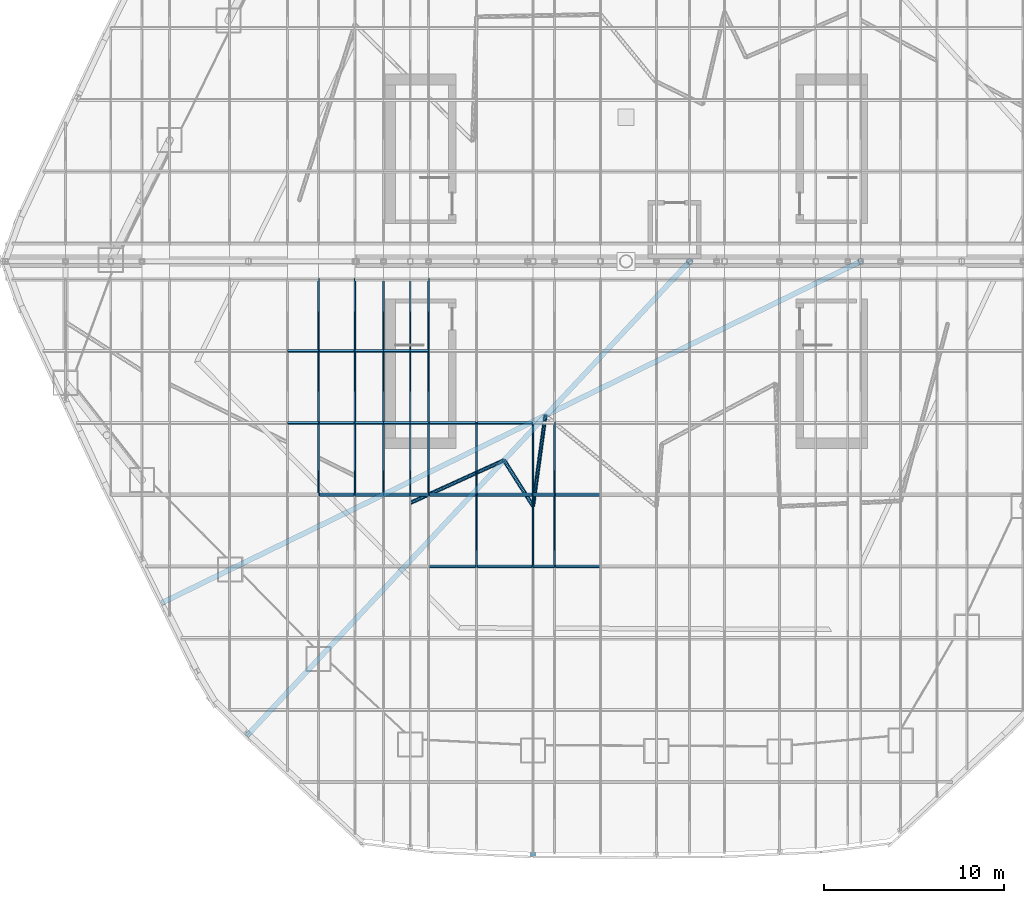
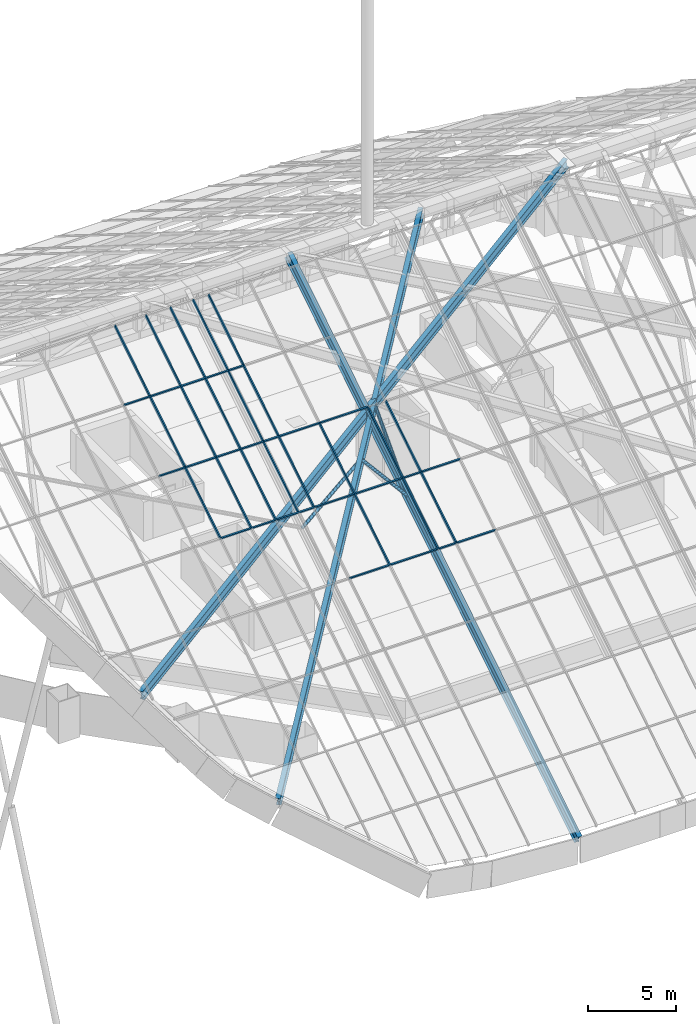
# One storey, part 4 of 38: 51 members, 25 elements without a shape of their own.
"""IFC4 building model written with IfcOpenShell, lengths in metres."""

import ifcopenshell
import ifcopenshell.guid

model = None  # the IFC model being written
_history = None  # IfcOwnerHistory: only IFC2X3 demands one
_inside = {}  # id of a spatial element -> (the spatial element, [elements in it])
_under = {}  # id of a project, library or spatial element -> (it, [spatial elements below it])
_declared = {}  # id of a project -> (the project, [libraries it declares])
_typed = {}  # id of a type object -> (the type object, [elements of that type])
_made_of = {}  # id of a material, layer set ... -> (it, [elements and type objects made of it])


def new_model(schema):
    """Start an empty IFC model of exactly this schema.

    Asked for "IFC4X3", IfcOpenShell would pick the latest addendum, in which some entities
    have other attributes; the version numbers below select the first issue.
    IFC2X3 requires an IfcOwnerHistory on every rooted entity: one is made here for all.
    """
    global model, _history
    if schema == "IFC4X3":
        model = ifcopenshell.file(schema_version=(4, 3, 0, 0))
    else:
        model = ifcopenshell.file(schema=schema)
    _inside.clear()
    _under.clear()
    _declared.clear()
    _typed.clear()
    _made_of.clear()
    _history = None
    if model.schema == "IFC2X3":
        org = make("IfcOrganization", Name="unknown")
        user = make(
            "IfcPersonAndOrganization",
            ThePerson=make("IfcPerson", FamilyName="unknown"),
            TheOrganization=org,
        )
        app = make(
            "IfcApplication",
            ApplicationDeveloper=org,
            Version="unknown",
            ApplicationFullName="unknown",
            ApplicationIdentifier="unknown",
        )
        _history = make(
            "IfcOwnerHistory",
            OwningUser=user,
            OwningApplication=app,
            ChangeAction="ADDED",
            CreationDate=0,
        )
    return model


def make(cls, **values):
    """One entity of the class cls with the attributes given. An attribute that is None is left unset."""
    return model.create_entity(
        cls, **{name: value for name, value in values.items() if value is not None}
    )


def rooted(cls, **values):
    """An entity with a GlobalId (a new one), such as an element, a storey or a relation."""
    return make(cls, GlobalId=ifcopenshell.guid.new(), OwnerHistory=_history, **values)


def si_unit(unit_type, name, prefix=None):
    """IfcSIUnit, for example si_unit("LENGTHUNIT", "METRE", prefix="MILLI")."""
    return make("IfcSIUnit", UnitType=unit_type, Prefix=prefix, Name=name)


def assignment(units):
    """IfcUnitAssignment: the units of a project."""
    return None if units is None else make("IfcUnitAssignment", Units=units)


def point(xyz):
    """IfcCartesianPoint."""
    return None if xyz is None else make("IfcCartesianPoint", Coordinates=xyz)


def direction(xyz):
    """IfcDirection."""
    return None if xyz is None else make("IfcDirection", DirectionRatios=xyz)


def frame(location, z_axis=None, x_axis=None):
    """IfcAxis2Placement3D, a coordinate frame: its origin and axes. An axis left out is left unset."""
    return make(
        "IfcAxis2Placement3D",
        Location=point(location),
        Axis=direction(z_axis),
        RefDirection=direction(x_axis),
    )


def frame_2d(location, x_axis=None):
    """IfcAxis2Placement2D, a coordinate frame in the plane: its origin and x axis."""
    return make(
        "IfcAxis2Placement2D", Location=point(location), RefDirection=direction(x_axis)
    )


def origin():
    """The frame at (0, 0, 0) with its axes left unset."""
    return frame((0.0, 0.0, 0.0))


def origin_2d():
    """The frame at (0, 0) in the plane with its x axis left unset."""
    return frame_2d((0.0, 0.0))


def place(relative_to, where):
    """IfcLocalPlacement: puts the frame where relative to a parent placement (None: the world)."""
    return make(
        "IfcLocalPlacement", PlacementRelTo=relative_to, RelativePlacement=where
    )


def context(
    kind, dimensions, precision=None, world=None, true_north=None, identifier=None
):
    """IfcGeometricRepresentationContext, for example the 3D "Model" context."""
    return make(
        "IfcGeometricRepresentationContext",
        ContextIdentifier=identifier,
        ContextType=kind,
        CoordinateSpaceDimension=dimensions,
        Precision=precision,
        WorldCoordinateSystem=world,
        TrueNorth=true_north,
    )


def subcontext(parent, identifier, kind, view, scale=None):
    """IfcGeometricRepresentationSubContext, for example "Body" below "Model"."""
    return make(
        "IfcGeometricRepresentationSubContext",
        ContextIdentifier=identifier,
        ContextType=kind,
        ParentContext=parent,
        TargetScale=scale,
        TargetView=view,
    )


def project(units=None, contexts=None):
    """IfcProject with its units and contexts."""
    return rooted(
        "IfcProject",
        Name="project",
        RepresentationContexts=contexts,
        UnitsInContext=assignment(units),
    )


def spatial(cls, under=None, at=None, **own):
    """A site, building, storey or space (cls), placed at a placement, below another one or the project."""
    s = rooted(cls, ObjectPlacement=at, **own)
    if under is not None:
        _under.setdefault(under.id(), (under, []))[1].append(s)
    return s


def profile(cls, at=None, kind="AREA", **sizes):
    """A parametric profile (cls). Its sizes go by their IFC names, for example OverallWidth=200.0."""
    return make(cls, ProfileType=kind, Position=at, **sizes)


def rectangle(**sizes):
    """IfcRectangleProfileDef."""
    return profile("IfcRectangleProfileDef", **sizes)


def hollow_circle(**sizes):
    """IfcCircleHollowProfileDef."""
    return profile("IfcCircleHollowProfileDef", **sizes)


def i_section(**sizes):
    """IfcIShapeProfileDef."""
    return profile("IfcIShapeProfileDef", **sizes)


def extrude(swept, where, along, depth):
    """IfcExtrudedAreaSolid: the profile swept, set in the frame where, extruded along a direction by depth."""
    return make(
        "IfcExtrudedAreaSolid",
        SweptArea=swept,
        Position=where,
        ExtrudedDirection=direction(along),
        Depth=depth,
    )


def shape(context_of_items, identifier, shape_type, items):
    """IfcShapeRepresentation: the items that make up one representation, for example the "Body"."""
    return make(
        "IfcShapeRepresentation",
        ContextOfItems=context_of_items,
        RepresentationIdentifier=identifier,
        RepresentationType=shape_type,
        Items=items,
    )


def material(Name=None, Category=None):
    """IfcMaterial."""
    return make("IfcMaterial", Name=Name, Category=Category)


def layer(
    of_material, thickness, ventilated=None, Name=None, Category=None, Priority=None
):
    """IfcMaterialLayer: one layer of a wall or slab, of a material (None: an air gap)."""
    return make(
        "IfcMaterialLayer",
        Material=of_material,
        LayerThickness=thickness,
        IsVentilated=ventilated,
        Name=Name,
        Category=Category,
        Priority=Priority,
    )


def layer_set(layers, Name=None):
    """IfcMaterialLayerSet."""
    return make("IfcMaterialLayerSet", MaterialLayers=layers, LayerSetName=Name)


def material_profile(
    of_material, cross_section, Name=None, Category=None, Priority=None
):
    """IfcMaterialProfile: a cross section and its material."""
    return make(
        "IfcMaterialProfile",
        Name=Name,
        Material=of_material,
        Profile=cross_section,
        Priority=Priority,
        Category=Category,
    )


def profile_set(profiles, Name=None, composite=None):
    """IfcMaterialProfileSet."""
    return make(
        "IfcMaterialProfileSet",
        Name=Name,
        MaterialProfiles=profiles,
        CompositeProfile=composite,
    )


def made_of(thing, what):
    """Note that an element or type object is made of a material, layer set ...; save() writes the relation."""
    if what is not None:
        _made_of.setdefault(what.id(), (what, []))[1].append(thing)
    return thing


def type_object(cls, material=None, **own):
    """A type object (cls), such as IfcWallType, which elements share."""
    return made_of(rooted(cls, **own), material)


def element(
    cls,
    number,
    at=None,
    inside=None,
    cuts=None,
    type_object=None,
    material=None,
    context=None,
    identifier="Body",
    shape_type=None,
    held_by="IfcProductDefinitionShape",
    body=None,
    shapes=None,
    **own,
):
    """One element of the class cls, such as IfcWall. Its Tag is "e" and its number.

    at: its placement. inside: the storey or other place that contains it. cuts: it is an
    opening in that element (IfcRelVoidsElement). A single representation is given by context,
    identifier, shape_type and body (its items); several are given by shapes. held_by: the class
    of the entity that holds the representations. save() writes the other relations.
    """
    e = rooted(cls, Tag="e%d" % number, ObjectPlacement=at, **own)
    if body is not None:
        shapes = [shape(context, identifier, shape_type, body)]
    if shapes is not None:
        e.Representation = make(held_by, Representations=shapes)
    if inside is not None:
        _inside.setdefault(inside.id(), (inside, []))[1].append(e)
    if cuts is not None:
        rooted(
            "IfcRelVoidsElement", RelatingBuildingElement=cuts, RelatedOpeningElement=e
        )
    if type_object is not None:
        _typed.setdefault(type_object.id(), (type_object, []))[1].append(e)
    return made_of(e, material)


def aggregate(whole, parts):
    """IfcRelAggregates: a whole, such as a stair, and the parts it consists of."""
    return rooted("IfcRelAggregates", RelatingObject=whole, RelatedObjects=parts)


def save(model, path):
    """Write the relations noted so far, then the file.

    IfcRelAggregates (storeys below a building ...), IfcRelContainedInSpatialStructure (elements
    in a storey), IfcRelDefinesByType, IfcRelAssociatesMaterial and IfcRelDeclares: one each for
    every whole, place, type object, material and project.
    """
    for whole, parts in _under.values():
        aggregate(whole, parts)
    for where, things in _inside.values():
        rooted(
            "IfcRelContainedInSpatialStructure",
            RelatedElements=things,
            RelatingStructure=where,
        )
    for kind, things in _typed.values():
        rooted("IfcRelDefinesByType", RelatedObjects=things, RelatingType=kind)
    for what, things in _made_of.values():
        rooted("IfcRelAssociatesMaterial", RelatedObjects=things, RelatingMaterial=what)
    for by, libraries in _declared.values():
        rooted("IfcRelDeclares", RelatingContext=by, RelatedDefinitions=libraries)
    model.write(path)


model = new_model("IFC4")

# Units and contexts
model_context = context("Model", 3, precision=1e-05, world=origin(), true_north=direction((0.0, 1.0)))
body_context = subcontext(model_context, "Body", "Model", "MODEL_VIEW")
ifc_project = project(units=[si_unit("LENGTHUNIT", "METRE"), si_unit("AREAUNIT", "SQUARE_METRE"), si_unit("VOLUMEUNIT", "CUBIC_METRE"), si_unit("PLANEANGLEUNIT", "RADIAN"), si_unit("MASSUNIT", "GRAM", prefix="KILO")], contexts=[model_context])

# Site, building, storey
site_placement = place(None, origin())
site = spatial("IfcSite", under=ifc_project, at=site_placement, CompositionType="ELEMENT")
building_placement = place(site_placement, origin())
building = spatial("IfcBuilding", under=site, at=building_placement, Name="Dongbaek Canopy Tower", CompositionType="ELEMENT")
storey_placement = place(building_placement, frame((0.0, 0.0, 375.800048828125)))
storey = spatial("IfcBuildingStorey", under=building, at=storey_placement, Name="Roof", CompositionType="ELEMENT", Elevation=375.800048828125)

# Curtain wall, member
ifc_material_1 = material(Name="Aluminium 6063-T6 pale anodised", Category="aluminium")
ifc_layer = layer(ifc_material_1, 0.199951171875)
ifc_layer_set = layer_set([ifc_layer], Name="CW-6 canopy glazing curtain wall")
curtain_wall_type = type_object("IfcCurtainWallType", Name="CW-6 canopy glazing curtain wall", PredefinedType="NOTDEFINED", material=ifc_layer_set)
curtain_wall_1_placement = place(storey_placement, origin())
curtain_wall_1 = element("IfcCurtainWall", 1, at=curtain_wall_1_placement, inside=storey, type_object=curtain_wall_type, Name="CW-6 canopy glazing south 7.1", PredefinedType="NOTDEFINED")
ifc_material_2 = material(Name="Aluminium 6063-T6 pale anodised", Category="aluminium")
ifc_material_profile_1 = material_profile(ifc_material_2, rectangle(XDim=0.080078125, YDim=0.199951171875, at=origin_2d()), Name="CW-6 mullion 80 x 200")
ifc_profile_set_1 = profile_set([ifc_material_profile_1], Name="Aluminium 6063-T6 pale anodised")
member_type_1 = type_object("IfcMemberType", Name="CW-6 mullion 80 x 200", PredefinedType="MULLION", material=ifc_profile_set_1)
member_1_placement = place(storey_placement, frame((-17.083984375, -1.0, 18.0986328125), z_axis=(0.0, -0.848068327403, -0.529886886095), x_axis=(1.0, 0.0, 0.0)))
member_1 = element("IfcMember", 2, at=member_1_placement, type_object=member_type_1, Name="CW-6 mullion S7.1.-17.1", PredefinedType="MULLION", context=body_context, shape_type="SweptSolid", body=[
    extrude(rectangle(XDim=0.080078125, YDim=0.199951171875, at=origin_2d()), origin(), (0.0, 0.0, 1.0), 4.700439453125),
])

curtain_wall_2_placement = place(storey_placement, origin())
curtain_wall_2 = element("IfcCurtainWall", 3, at=curtain_wall_2_placement, inside=storey, type_object=curtain_wall_type, Name="CW-6 canopy glazing south 7.2", PredefinedType="NOTDEFINED")
member_2_placement = place(storey_placement, frame((-17.083984375, -4.986328125, 15.60791015625), z_axis=(0.0, -0.848030400431, -0.529947582262), x_axis=(1.0, 0.0, 0.0)))
member_2 = element("IfcMember", 4, at=member_2_placement, type_object=member_type_1, Name="CW-6 mullion S7.2.-17.1", PredefinedType="MULLION", context=body_context, shape_type="SweptSolid", body=[
    extrude(rectangle(XDim=0.080078125, YDim=0.199951171875, at=origin_2d()), origin(), (0.0, 0.0, 1.0), 4.700439453125),
])

curtain_wall_3_placement = place(storey_placement, origin())
curtain_wall_3 = element("IfcCurtainWall", 5, at=curtain_wall_3_placement, inside=storey, type_object=curtain_wall_type, Name="CW-6 canopy glazing south 7.3", PredefinedType="NOTDEFINED")
member_3_placement = place(storey_placement, frame((-17.083984375, -8.972412109375, 13.116943359375), z_axis=(0.0, -0.848068327403, -0.529886886095), x_axis=(1.0, 0.0, 0.0)))
member_3 = element("IfcMember", 6, at=member_3_placement, type_object=member_type_1, Name="CW-6 mullion S7.3.-17.1", PredefinedType="MULLION", context=body_context, shape_type="SweptSolid", body=[
    extrude(rectangle(XDim=0.080078125, YDim=0.199951171875, at=origin_2d()), origin(), (0.0, 0.0, 1.0), 4.700439453125),
])
aggregate(curtain_wall_3, [member_3])

curtain_wall_4_placement = place(storey_placement, origin())
curtain_wall_4 = element("IfcCurtainWall", 7, at=curtain_wall_4_placement, inside=storey, type_object=curtain_wall_type, Name="CW-6 canopy glazing south 8.1", PredefinedType="NOTDEFINED")
member_4_placement = place(storey_placement, frame((-15.06201171875, -1.0, 18.0986328125), z_axis=(0.0, -0.848068327403, -0.529886886095), x_axis=(1.0, 0.0, 0.0)))
member_4 = element("IfcMember", 8, at=member_4_placement, type_object=member_type_1, Name="CW-6 mullion S8.1.-15.1", PredefinedType="MULLION", context=body_context, shape_type="SweptSolid", body=[
    extrude(rectangle(XDim=0.080078125, YDim=0.199951171875, at=origin_2d()), origin(), (0.0, 0.0, 1.0), 4.700439453125),
])

curtain_wall_5_placement = place(storey_placement, origin())
curtain_wall_5 = element("IfcCurtainWall", 9, at=curtain_wall_5_placement, inside=storey, type_object=curtain_wall_type, Name="CW-6 canopy glazing south 8.2", PredefinedType="NOTDEFINED")
member_5_placement = place(storey_placement, frame((-15.06201171875, -4.986328125, 15.60791015625), z_axis=(0.0, -0.848030400431, -0.529947582262), x_axis=(1.0, 0.0, 0.0)))
member_5 = element("IfcMember", 10, at=member_5_placement, type_object=member_type_1, Name="CW-6 mullion S8.2.-15.1", PredefinedType="MULLION", context=body_context, shape_type="SweptSolid", body=[
    extrude(rectangle(XDim=0.080078125, YDim=0.199951171875, at=origin_2d()), origin(), (0.0, 0.0, 1.0), 4.700439453125),
])

curtain_wall_6_placement = place(storey_placement, origin())
curtain_wall_6 = element("IfcCurtainWall", 11, at=curtain_wall_6_placement, inside=storey, type_object=curtain_wall_type, Name="CW-6 canopy glazing south 8.3", PredefinedType="NOTDEFINED")
member_6_placement = place(storey_placement, frame((-15.06201171875, -8.972412109375, 13.116943359375), z_axis=(0.0, -0.848068327403, -0.529886886095), x_axis=(1.0, 0.0, 0.0)))
member_6 = element("IfcMember", 12, at=member_6_placement, type_object=member_type_1, Name="CW-6 mullion S8.3.-15.1", PredefinedType="MULLION", context=body_context, shape_type="SweptSolid", body=[
    extrude(rectangle(XDim=0.080078125, YDim=0.199951171875, at=origin_2d()), origin(), (0.0, 0.0, 1.0), 4.700439453125),
])

curtain_wall_7_placement = place(storey_placement, origin())
curtain_wall_7 = element("IfcCurtainWall", 13, at=curtain_wall_7_placement, inside=storey, type_object=curtain_wall_type, Name="CW-6 canopy glazing south 9.1", PredefinedType="NOTDEFINED")
member_7_placement = place(storey_placement, frame((-13.464599609375, -1.0, 18.0986328125), z_axis=(0.0, -0.848068327403, -0.529886886095), x_axis=(1.0, 0.0, 0.0)))
member_7 = element("IfcMember", 14, at=member_7_placement, type_object=member_type_1, Name="CW-6 mullion S9.1.-13.5", PredefinedType="MULLION", context=body_context, shape_type="SweptSolid", body=[
    extrude(rectangle(XDim=0.080078125, YDim=0.199951171875, at=origin_2d()), origin(), (0.0, 0.0, 1.0), 4.700439453125),
])

curtain_wall_8_placement = place(storey_placement, origin())
curtain_wall_8 = element("IfcCurtainWall", 15, at=curtain_wall_8_placement, inside=storey, type_object=curtain_wall_type, Name="CW-6 canopy glazing south 9.2", PredefinedType="NOTDEFINED")
member_8_placement = place(storey_placement, frame((-13.464599609375, -4.986328125, 15.60791015625), z_axis=(0.0, -0.848030400431, -0.529947582262), x_axis=(1.0, 0.0, 0.0)))
member_8 = element("IfcMember", 16, at=member_8_placement, type_object=member_type_1, Name="CW-6 mullion S9.2.-13.5", PredefinedType="MULLION", context=body_context, shape_type="SweptSolid", body=[
    extrude(rectangle(XDim=0.080078125, YDim=0.199951171875, at=origin_2d()), origin(), (0.0, 0.0, 1.0), 4.700439453125),
])

curtain_wall_9_placement = place(storey_placement, origin())
curtain_wall_9 = element("IfcCurtainWall", 17, at=curtain_wall_9_placement, inside=storey, type_object=curtain_wall_type, Name="CW-6 canopy glazing south 9.3", PredefinedType="NOTDEFINED")
member_9_placement = place(storey_placement, frame((-13.464599609375, -8.972412109375, 13.116943359375), z_axis=(0.0, -0.848068327403, -0.529886886095), x_axis=(1.0, 0.0, 0.0)))
member_9 = element("IfcMember", 18, at=member_9_placement, type_object=member_type_1, Name="CW-6 mullion S9.3.-13.5", PredefinedType="MULLION", context=body_context, shape_type="SweptSolid", body=[
    extrude(rectangle(XDim=0.080078125, YDim=0.199951171875, at=origin_2d()), origin(), (0.0, 0.0, 1.0), 4.700439453125),
])

curtain_wall_10_placement = place(storey_placement, origin())
curtain_wall_10 = element("IfcCurtainWall", 19, at=curtain_wall_10_placement, inside=storey, type_object=curtain_wall_type, Name="CW-6 canopy glazing south 10.1", PredefinedType="NOTDEFINED")
member_10_placement = place(storey_placement, frame((-11.985107421875, -1.0, 18.0986328125), z_axis=(0.0, -0.848068327403, -0.529886886095), x_axis=(1.0, 0.0, 0.0)))
member_10 = element("IfcMember", 20, at=member_10_placement, type_object=member_type_1, Name="CW-6 mullion S10.1.-12.0", PredefinedType="MULLION", context=body_context, shape_type="SweptSolid", body=[
    extrude(rectangle(XDim=0.080078125, YDim=0.199951171875, at=origin_2d()), origin(), (0.0, 0.0, 1.0), 4.700439453125),
])

curtain_wall_11_placement = place(storey_placement, origin())
curtain_wall_11 = element("IfcCurtainWall", 21, at=curtain_wall_11_placement, inside=storey, type_object=curtain_wall_type, Name="CW-6 canopy glazing south 10.2", PredefinedType="NOTDEFINED")
member_11_placement = place(storey_placement, frame((-11.985107421875, -4.986328125, 15.60791015625), z_axis=(0.0, -0.848030400431, -0.529947582262), x_axis=(1.0, 0.0, 0.0)))
member_11 = element("IfcMember", 22, at=member_11_placement, type_object=member_type_1, Name="CW-6 mullion S10.2.-12.0", PredefinedType="MULLION", context=body_context, shape_type="SweptSolid", body=[
    extrude(rectangle(XDim=0.080078125, YDim=0.199951171875, at=origin_2d()), origin(), (0.0, 0.0, 1.0), 4.700439453125),
])

curtain_wall_12_placement = place(storey_placement, origin())
curtain_wall_12 = element("IfcCurtainWall", 23, at=curtain_wall_12_placement, inside=storey, type_object=curtain_wall_type, Name="CW-6 canopy glazing south 10.3", PredefinedType="NOTDEFINED")
member_12_placement = place(storey_placement, frame((-11.985107421875, -8.972412109375, 13.116943359375), z_axis=(0.0, -0.848068327403, -0.529886886095), x_axis=(1.0, 0.0, 0.0)))
member_12 = element("IfcMember", 24, at=member_12_placement, type_object=member_type_1, Name="CW-6 mullion S10.3.-12.0", PredefinedType="MULLION", context=body_context, shape_type="SweptSolid", body=[
    extrude(rectangle(XDim=0.080078125, YDim=0.199951171875, at=origin_2d()), origin(), (0.0, 0.0, 1.0), 4.700439453125),
])

curtain_wall_13_placement = place(storey_placement, origin())
curtain_wall_13 = element("IfcCurtainWall", 25, at=curtain_wall_13_placement, inside=storey, type_object=curtain_wall_type, Name="CW-6 canopy glazing south 11.1", PredefinedType="NOTDEFINED")
member_13_placement = place(storey_placement, frame((-10.964599609375, -1.0, 18.0986328125), z_axis=(0.0, -0.848068327403, -0.529886886095), x_axis=(1.0, 0.0, 0.0)))
member_13 = element("IfcMember", 26, at=member_13_placement, type_object=member_type_1, Name="CW-6 mullion S11.1.-11.0", PredefinedType="MULLION", context=body_context, shape_type="SweptSolid", body=[
    extrude(rectangle(XDim=0.080078125, YDim=0.199951171875, at=origin_2d()), origin(), (0.0, 0.0, 1.0), 4.700439453125),
])

curtain_wall_14_placement = place(storey_placement, origin())
curtain_wall_14 = element("IfcCurtainWall", 27, at=curtain_wall_14_placement, inside=storey, type_object=curtain_wall_type, Name="CW-6 canopy glazing south 11.2", PredefinedType="NOTDEFINED")
member_14_placement = place(storey_placement, frame((-10.964599609375, -4.986328125, 15.60791015625), z_axis=(0.0, -0.848030400431, -0.529947582262), x_axis=(1.0, 0.0, 0.0)))
member_14 = element("IfcMember", 28, at=member_14_placement, type_object=member_type_1, Name="CW-6 mullion S11.2.-11.0", PredefinedType="MULLION", context=body_context, shape_type="SweptSolid", body=[
    extrude(rectangle(XDim=0.080078125, YDim=0.199951171875, at=origin_2d()), origin(), (0.0, 0.0, 1.0), 4.700439453125),
])

curtain_wall_15_placement = place(storey_placement, origin())
curtain_wall_15 = element("IfcCurtainWall", 29, at=curtain_wall_15_placement, inside=storey, type_object=curtain_wall_type, Name="CW-6 canopy glazing south 11.3", PredefinedType="NOTDEFINED")
member_15_placement = place(storey_placement, frame((-10.964599609375, -8.972412109375, 13.116943359375), z_axis=(0.0, -0.848068327403, -0.529886886095), x_axis=(1.0, 0.0, 0.0)))
member_15 = element("IfcMember", 30, at=member_15_placement, type_object=member_type_1, Name="CW-6 mullion S11.3.-11.0", PredefinedType="MULLION", context=body_context, shape_type="SweptSolid", body=[
    extrude(rectangle(XDim=0.080078125, YDim=0.199951171875, at=origin_2d()), origin(), (0.0, 0.0, 1.0), 4.700439453125),
])

curtain_wall_16_placement = place(storey_placement, origin())
curtain_wall_16 = element("IfcCurtainWall", 31, at=curtain_wall_16_placement, inside=storey, type_object=curtain_wall_type, Name="CW-6 canopy glazing south 12.3", PredefinedType="NOTDEFINED")
member_16_placement = place(storey_placement, frame((-8.30908203125, -8.972412109375, 13.116943359375), z_axis=(0.0, -0.848068327403, -0.529886886095), x_axis=(1.0, 0.0, 0.0)))
member_16 = element("IfcMember", 32, at=member_16_placement, type_object=member_type_1, Name="CW-6 mullion S12.3.-8.3", PredefinedType="MULLION", context=body_context, shape_type="SweptSolid", body=[
    extrude(rectangle(XDim=0.080078125, YDim=0.199951171875, at=origin_2d()), origin(), (0.0, 0.0, 1.0), 4.700439453125),
])

curtain_wall_17_placement = place(storey_placement, origin())
curtain_wall_17 = element("IfcCurtainWall", 33, at=curtain_wall_17_placement, inside=storey, type_object=curtain_wall_type, Name="CW-6 canopy glazing south 12.4", PredefinedType="NOTDEFINED")
member_17_placement = place(storey_placement, frame((-8.30908203125, -12.958740234375, 10.626220703125), z_axis=(0.0, -0.848030400431, -0.529947582262), x_axis=(1.0, 0.0, 0.0)))
member_17 = element("IfcMember", 34, at=member_17_placement, type_object=member_type_1, Name="CW-6 mullion S12.4.-8.3", PredefinedType="MULLION", context=body_context, shape_type="SweptSolid", body=[
    extrude(rectangle(XDim=0.080078125, YDim=0.199951171875, at=origin_2d()), origin(), (0.0, 0.0, 1.0), 4.700439453125),
])

curtain_wall_18_placement = place(storey_placement, origin())
curtain_wall_18 = element("IfcCurtainWall", 35, at=curtain_wall_18_placement, inside=storey, type_object=curtain_wall_type, Name="CW-6 canopy glazing south 13.3", PredefinedType="NOTDEFINED")
member_18_placement = place(storey_placement, frame((-5.166015625, -8.972412109375, 13.116943359375), z_axis=(0.0, -0.848068327403, -0.529886886095), x_axis=(1.0, 0.0, 0.0)))
member_18 = element("IfcMember", 36, at=member_18_placement, type_object=member_type_1, Name="CW-6 mullion S13.3.-5.2", PredefinedType="MULLION", context=body_context, shape_type="SweptSolid", body=[
    extrude(rectangle(XDim=0.080078125, YDim=0.199951171875, at=origin_2d()), origin(), (0.0, 0.0, 1.0), 4.700439453125),
])

curtain_wall_19_placement = place(storey_placement, origin())
curtain_wall_19 = element("IfcCurtainWall", 37, at=curtain_wall_19_placement, inside=storey, type_object=curtain_wall_type, Name="CW-6 canopy glazing south 13.4", PredefinedType="NOTDEFINED")
member_19_placement = place(storey_placement, frame((-5.166015625, -12.958740234375, 10.626220703125), z_axis=(0.0, -0.848030400431, -0.529947582262), x_axis=(1.0, 0.0, 0.0)))
member_19 = element("IfcMember", 38, at=member_19_placement, type_object=member_type_1, Name="CW-6 mullion S13.4.-5.2", PredefinedType="MULLION", context=body_context, shape_type="SweptSolid", body=[
    extrude(rectangle(XDim=0.080078125, YDim=0.199951171875, at=origin_2d()), origin(), (0.0, 0.0, 1.0), 4.700439453125),
])

curtain_wall_20_placement = place(storey_placement, origin())
curtain_wall_20 = element("IfcCurtainWall", 39, at=curtain_wall_20_placement, inside=storey, type_object=curtain_wall_type, Name="CW-6 canopy glazing south 14.3", PredefinedType="NOTDEFINED")
member_20_placement = place(storey_placement, frame((-3.964599609375, -8.972412109375, 13.116943359375), z_axis=(0.0, -0.848068327403, -0.529886886095), x_axis=(1.0, 0.0, 0.0)))
member_20 = element("IfcMember", 40, at=member_20_placement, type_object=member_type_1, Name="CW-6 mullion S14.3.-4.0", PredefinedType="MULLION", context=body_context, shape_type="SweptSolid", body=[
    extrude(rectangle(XDim=0.080078125, YDim=0.199951171875, at=origin_2d()), origin(), (0.0, 0.0, 1.0), 4.700439453125),
])

curtain_wall_21_placement = place(storey_placement, origin())
curtain_wall_21 = element("IfcCurtainWall", 41, at=curtain_wall_21_placement, inside=storey, type_object=curtain_wall_type, Name="CW-6 canopy glazing south 14.4", PredefinedType="NOTDEFINED")
member_21_placement = place(storey_placement, frame((-3.964599609375, -12.958740234375, 10.626220703125), z_axis=(0.0, -0.848030400431, -0.529947582262), x_axis=(1.0, 0.0, 0.0)))
member_21 = element("IfcMember", 42, at=member_21_placement, type_object=member_type_1, Name="CW-6 mullion S14.4.-4.0", PredefinedType="MULLION", context=body_context, shape_type="SweptSolid", body=[
    extrude(rectangle(XDim=0.080078125, YDim=0.199951171875, at=origin_2d()), origin(), (0.0, 0.0, 1.0), 4.700439453125),
])

# Member
ifc_material_3 = material(Name="Aluminium 6063-T6 pale anodised", Category="aluminium")
ifc_material_profile_2 = material_profile(ifc_material_3, rectangle(XDim=0.080078125, YDim=0.199951171875, at=origin_2d()), Name="CW-6 transom 80 x 200")
ifc_profile_set_2 = profile_set([ifc_material_profile_2], Name="Aluminium 6063-T6 pale anodised")
member_type_2 = type_object("IfcMemberType", Name="CW-6 transom 80 x 200", PredefinedType="USERDEFINED", material=ifc_profile_set_2)
member_22_placement = place(storey_placement, frame((-18.805908203125, -4.986328125, 15.60791015625), z_axis=(1.0, 0.0, 0.0), x_axis=(0.0, 0.848048096156, 0.529919264233)))
member_22 = element("IfcMember", 43, at=member_22_placement, type_object=member_type_2, Name="CW-6 transom S7.1.2", ObjectType="TRANSOM", PredefinedType="USERDEFINED", context=body_context, shape_type="SweptSolid", body=[
    extrude(rectangle(XDim=0.080078125, YDim=0.199951171875, at=origin_2d()), origin(), (0.0, 0.0, 1.0), 1.721923828125),
])

aggregate(curtain_wall_1, [member_1, member_22])

member_23_placement = place(storey_placement, frame((-18.805908203125, -8.972412109375, 13.116943359375), z_axis=(1.0, 0.0, 0.0), x_axis=(0.0, 0.848048096156, 0.529919264233)))
member_23 = element("IfcMember", 44, at=member_23_placement, type_object=member_type_2, Name="CW-6 transom S7.2.3", ObjectType="TRANSOM", PredefinedType="USERDEFINED", context=body_context, shape_type="SweptSolid", body=[
    extrude(rectangle(XDim=0.080078125, YDim=0.199951171875, at=origin_2d()), origin(), (0.0, 0.0, 1.0), 1.721923828125),
])

aggregate(curtain_wall_2, [member_2, member_23])

member_24_placement = place(storey_placement, frame((-17.083984375, -4.986328125, 15.60791015625), z_axis=(1.0, 0.0, 0.0), x_axis=(0.0, 0.848048096156, 0.529919264233)))
member_24 = element("IfcMember", 45, at=member_24_placement, type_object=member_type_2, Name="CW-6 transom S8.1.2", ObjectType="TRANSOM", PredefinedType="USERDEFINED", context=body_context, shape_type="SweptSolid", body=[
    extrude(rectangle(XDim=0.080078125, YDim=0.199951171875, at=origin_2d()), origin(), (0.0, 0.0, 1.0), 2.02197265625),
])

aggregate(curtain_wall_4, [member_4, member_24])

member_25_placement = place(storey_placement, frame((-17.083984375, -8.972412109375, 13.116943359375), z_axis=(1.0, 0.0, 0.0), x_axis=(0.0, 0.848048096156, 0.529919264233)))
member_25 = element("IfcMember", 46, at=member_25_placement, type_object=member_type_2, Name="CW-6 transom S8.2.3", ObjectType="TRANSOM", PredefinedType="USERDEFINED", context=body_context, shape_type="SweptSolid", body=[
    extrude(rectangle(XDim=0.080078125, YDim=0.199951171875, at=origin_2d()), origin(), (0.0, 0.0, 1.0), 2.02197265625),
])

aggregate(curtain_wall_5, [member_5, member_25])

member_26_placement = place(storey_placement, frame((-17.083984375, -12.958740234375, 10.626220703125), z_axis=(1.0, 0.0, 0.0), x_axis=(0.0, 0.848048096156, 0.529919264233)))
member_26 = element("IfcMember", 47, at=member_26_placement, type_object=member_type_2, Name="CW-6 transom S8.3.4", ObjectType="TRANSOM", PredefinedType="USERDEFINED", context=body_context, shape_type="SweptSolid", body=[
    extrude(rectangle(XDim=0.080078125, YDim=0.199951171875, at=origin_2d()), origin(), (0.0, 0.0, 1.0), 2.02197265625),
])

aggregate(curtain_wall_6, [member_6, member_26])

member_27_placement = place(storey_placement, frame((-15.06201171875, -4.986328125, 15.60791015625), z_axis=(1.0, 0.0, 0.0), x_axis=(0.0, 0.848048096156, 0.529919264233)))
member_27 = element("IfcMember", 48, at=member_27_placement, type_object=member_type_2, Name="CW-6 transom S9.1.2", ObjectType="TRANSOM", PredefinedType="USERDEFINED", context=body_context, shape_type="SweptSolid", body=[
    extrude(rectangle(XDim=0.080078125, YDim=0.199951171875, at=origin_2d()), origin(), (0.0, 0.0, 1.0), 1.597412109375),
])

aggregate(curtain_wall_7, [member_7, member_27])

member_28_placement = place(storey_placement, frame((-15.06201171875, -8.972412109375, 13.116943359375), z_axis=(1.0, 0.0, 0.0), x_axis=(0.0, 0.848048096156, 0.529919264233)))
member_28 = element("IfcMember", 49, at=member_28_placement, type_object=member_type_2, Name="CW-6 transom S9.2.3", ObjectType="TRANSOM", PredefinedType="USERDEFINED", context=body_context, shape_type="SweptSolid", body=[
    extrude(rectangle(XDim=0.080078125, YDim=0.199951171875, at=origin_2d()), origin(), (0.0, 0.0, 1.0), 1.597412109375),
])

aggregate(curtain_wall_8, [member_8, member_28])

member_29_placement = place(storey_placement, frame((-15.06201171875, -12.958740234375, 10.626220703125), z_axis=(1.0, 0.0, 0.0), x_axis=(0.0, 0.848048096156, 0.529919264233)))
member_29 = element("IfcMember", 50, at=member_29_placement, type_object=member_type_2, Name="CW-6 transom S9.3.4", ObjectType="TRANSOM", PredefinedType="USERDEFINED", context=body_context, shape_type="SweptSolid", body=[
    extrude(rectangle(XDim=0.080078125, YDim=0.199951171875, at=origin_2d()), origin(), (0.0, 0.0, 1.0), 1.597412109375),
])

aggregate(curtain_wall_9, [member_9, member_29])

member_30_placement = place(storey_placement, frame((-13.464599609375, -4.986328125, 15.60791015625), z_axis=(1.0, 0.0, 0.0), x_axis=(0.0, 0.848048096156, 0.529919264233)))
member_30 = element("IfcMember", 51, at=member_30_placement, type_object=member_type_2, Name="CW-6 transom S10.1.2", ObjectType="TRANSOM", PredefinedType="USERDEFINED", context=body_context, shape_type="SweptSolid", body=[
    extrude(rectangle(XDim=0.080078125, YDim=0.199951171875, at=origin_2d()), origin(), (0.0, 0.0, 1.0), 1.4794921875),
])

aggregate(curtain_wall_10, [member_10, member_30])

member_31_placement = place(storey_placement, frame((-13.464599609375, -8.972412109375, 13.116943359375), z_axis=(1.0, 0.0, 0.0), x_axis=(0.0, 0.848048096156, 0.529919264233)))
member_31 = element("IfcMember", 52, at=member_31_placement, type_object=member_type_2, Name="CW-6 transom S10.2.3", ObjectType="TRANSOM", PredefinedType="USERDEFINED", context=body_context, shape_type="SweptSolid", body=[
    extrude(rectangle(XDim=0.080078125, YDim=0.199951171875, at=origin_2d()), origin(), (0.0, 0.0, 1.0), 1.4794921875),
])

aggregate(curtain_wall_11, [member_11, member_31])

member_32_placement = place(storey_placement, frame((-13.464599609375, -12.958740234375, 10.626220703125), z_axis=(1.0, 0.0, 0.0), x_axis=(0.0, 0.848048096156, 0.529919264233)))
member_32 = element("IfcMember", 53, at=member_32_placement, type_object=member_type_2, Name="CW-6 transom S10.3.4", ObjectType="TRANSOM", PredefinedType="USERDEFINED", context=body_context, shape_type="SweptSolid", body=[
    extrude(rectangle(XDim=0.080078125, YDim=0.199951171875, at=origin_2d()), origin(), (0.0, 0.0, 1.0), 1.4794921875),
])

aggregate(curtain_wall_12, [member_12, member_32])

member_33_placement = place(storey_placement, frame((-11.985107421875, -4.986328125, 15.60791015625), z_axis=(1.0, 0.0, 0.0), x_axis=(0.0, 0.848048096156, 0.529919264233)))
member_33 = element("IfcMember", 54, at=member_33_placement, type_object=member_type_2, Name="CW-6 transom S11.1.2", ObjectType="TRANSOM", PredefinedType="USERDEFINED", context=body_context, shape_type="SweptSolid", body=[
    extrude(rectangle(XDim=0.080078125, YDim=0.199951171875, at=origin_2d()), origin(), (0.0, 0.0, 1.0), 1.0205078125),
])

aggregate(curtain_wall_13, [member_13, member_33])

member_34_placement = place(storey_placement, frame((-11.985107421875, -8.972412109375, 13.116943359375), z_axis=(1.0, 0.0, 0.0), x_axis=(0.0, 0.848048096156, 0.529919264233)))
member_34 = element("IfcMember", 55, at=member_34_placement, type_object=member_type_2, Name="CW-6 transom S11.2.3", ObjectType="TRANSOM", PredefinedType="USERDEFINED", context=body_context, shape_type="SweptSolid", body=[
    extrude(rectangle(XDim=0.080078125, YDim=0.199951171875, at=origin_2d()), origin(), (0.0, 0.0, 1.0), 1.0205078125),
])

aggregate(curtain_wall_14, [member_14, member_34])

member_35_placement = place(storey_placement, frame((-11.985107421875, -12.958740234375, 10.626220703125), z_axis=(1.0, 0.0, 0.0), x_axis=(0.0, 0.848048096156, 0.529919264233)))
member_35 = element("IfcMember", 56, at=member_35_placement, type_object=member_type_2, Name="CW-6 transom S11.3.4", ObjectType="TRANSOM", PredefinedType="USERDEFINED", context=body_context, shape_type="SweptSolid", body=[
    extrude(rectangle(XDim=0.080078125, YDim=0.199951171875, at=origin_2d()), origin(), (0.0, 0.0, 1.0), 1.0205078125),
])

aggregate(curtain_wall_15, [member_15, member_35])

# Curtain wall, member
curtain_wall_22_placement = place(storey_placement, origin())
curtain_wall_22 = element("IfcCurtainWall", 57, at=curtain_wall_22_placement, inside=storey, type_object=curtain_wall_type, Name="CW-6 canopy glazing south 12.2", PredefinedType="NOTDEFINED")
member_36_placement = place(storey_placement, frame((-10.964599609375, -8.972412109375, 13.116943359375), z_axis=(1.0, 0.0, 0.0), x_axis=(0.0, 0.848048096156, 0.529919264233)))
member_36 = element("IfcMember", 58, at=member_36_placement, type_object=member_type_2, Name="CW-6 transom S12.2.3", ObjectType="TRANSOM", PredefinedType="USERDEFINED", context=body_context, shape_type="SweptSolid", body=[
    extrude(rectangle(XDim=0.080078125, YDim=0.199951171875, at=origin_2d()), origin(), (0.0, 0.0, 1.0), 2.655517578125),
])
aggregate(curtain_wall_22, [member_36])

# Member
member_37_placement = place(storey_placement, frame((-10.964599609375, -12.958740234375, 10.626220703125), z_axis=(1.0, 0.0, 0.0), x_axis=(0.0, 0.848048096156, 0.529919264233)))
member_37 = element("IfcMember", 59, at=member_37_placement, type_object=member_type_2, Name="CW-6 transom S12.3.4", ObjectType="TRANSOM", PredefinedType="USERDEFINED", context=body_context, shape_type="SweptSolid", body=[
    extrude(rectangle(XDim=0.080078125, YDim=0.199951171875, at=origin_2d()), origin(), (0.0, 0.0, 1.0), 2.655517578125),
])

aggregate(curtain_wall_16, [member_16, member_37])

member_38_placement = place(storey_placement, frame((-10.964599609375, -16.94482421875, 8.13525390625), z_axis=(1.0, 0.0, 0.0), x_axis=(0.0, 0.848048096156, 0.529919264233)))
member_38 = element("IfcMember", 60, at=member_38_placement, type_object=member_type_2, Name="CW-6 transom S12.4.5", ObjectType="TRANSOM", PredefinedType="USERDEFINED", context=body_context, shape_type="SweptSolid", body=[
    extrude(rectangle(XDim=0.080078125, YDim=0.199951171875, at=origin_2d()), origin(), (0.0, 0.0, 1.0), 2.655517578125),
])

aggregate(curtain_wall_17, [member_17, member_38])

# Curtain wall, member
curtain_wall_23_placement = place(storey_placement, origin())
curtain_wall_23 = element("IfcCurtainWall", 61, at=curtain_wall_23_placement, inside=storey, type_object=curtain_wall_type, Name="CW-6 canopy glazing south 13.2", PredefinedType="NOTDEFINED")
member_39_placement = place(storey_placement, frame((-8.30908203125, -8.972412109375, 13.116943359375), z_axis=(1.0, 0.0, 0.0), x_axis=(0.0, 0.848048096156, 0.529919264233)))
member_39 = element("IfcMember", 62, at=member_39_placement, type_object=member_type_2, Name="CW-6 transom S13.2.3", ObjectType="TRANSOM", PredefinedType="USERDEFINED", context=body_context, shape_type="SweptSolid", body=[
    extrude(rectangle(XDim=0.080078125, YDim=0.199951171875, at=origin_2d()), origin(), (0.0, 0.0, 1.0), 3.14306640625),
])
aggregate(curtain_wall_23, [member_39])

# Member
member_40_placement = place(storey_placement, frame((-8.30908203125, -12.958740234375, 10.626220703125), z_axis=(1.0, 0.0, 0.0), x_axis=(0.0, 0.848048096156, 0.529919264233)))
member_40 = element("IfcMember", 63, at=member_40_placement, type_object=member_type_2, Name="CW-6 transom S13.3.4", ObjectType="TRANSOM", PredefinedType="USERDEFINED", context=body_context, shape_type="SweptSolid", body=[
    extrude(rectangle(XDim=0.080078125, YDim=0.199951171875, at=origin_2d()), origin(), (0.0, 0.0, 1.0), 3.14306640625),
])

aggregate(curtain_wall_18, [member_18, member_40])

member_41_placement = place(storey_placement, frame((-8.30908203125, -16.94482421875, 8.13525390625), z_axis=(1.0, 0.0, 0.0), x_axis=(0.0, 0.848048096156, 0.529919264233)))
member_41 = element("IfcMember", 64, at=member_41_placement, type_object=member_type_2, Name="CW-6 transom S13.4.5", ObjectType="TRANSOM", PredefinedType="USERDEFINED", context=body_context, shape_type="SweptSolid", body=[
    extrude(rectangle(XDim=0.080078125, YDim=0.199951171875, at=origin_2d()), origin(), (0.0, 0.0, 1.0), 3.14306640625),
])

aggregate(curtain_wall_19, [member_19, member_41])

member_42_placement = place(storey_placement, frame((-5.166015625, -12.958740234375, 10.626220703125), z_axis=(1.0, 0.0, 0.0), x_axis=(0.0, 0.848048096156, 0.529919264233)))
member_42 = element("IfcMember", 65, at=member_42_placement, type_object=member_type_2, Name="CW-6 transom S14.3.4", ObjectType="TRANSOM", PredefinedType="USERDEFINED", context=body_context, shape_type="SweptSolid", body=[
    extrude(rectangle(XDim=0.080078125, YDim=0.199951171875, at=origin_2d()), origin(), (0.0, 0.0, 1.0), 1.201416015625),
])

aggregate(curtain_wall_20, [member_20, member_42])

member_43_placement = place(storey_placement, frame((-5.166015625, -16.94482421875, 8.13525390625), z_axis=(1.0, 0.0, 0.0), x_axis=(0.0, 0.848048096156, 0.529919264233)))
member_43 = element("IfcMember", 66, at=member_43_placement, type_object=member_type_2, Name="CW-6 transom S14.4.5", ObjectType="TRANSOM", PredefinedType="USERDEFINED", context=body_context, shape_type="SweptSolid", body=[
    extrude(rectangle(XDim=0.080078125, YDim=0.199951171875, at=origin_2d()), origin(), (0.0, 0.0, 1.0), 1.201416015625),
])

aggregate(curtain_wall_21, [member_21, member_43])

# Curtain wall, member
curtain_wall_24_placement = place(storey_placement, origin())
curtain_wall_24 = element("IfcCurtainWall", 67, at=curtain_wall_24_placement, inside=storey, type_object=curtain_wall_type, Name="CW-6 canopy glazing south 15.3", PredefinedType="NOTDEFINED")
member_44_placement = place(storey_placement, frame((-3.964599609375, -12.958740234375, 10.626220703125), z_axis=(1.0, 0.0, 0.0), x_axis=(0.0, 0.848048096156, 0.529919264233)))
member_44 = element("IfcMember", 68, at=member_44_placement, type_object=member_type_2, Name="CW-6 transom S15.3.4", ObjectType="TRANSOM", PredefinedType="USERDEFINED", context=body_context, shape_type="SweptSolid", body=[
    extrude(rectangle(XDim=0.080078125, YDim=0.199951171875, at=origin_2d()), origin(), (0.0, 0.0, 1.0), 2.546630859375),
])
aggregate(curtain_wall_24, [member_44])

curtain_wall_25_placement = place(storey_placement, origin())
curtain_wall_25 = element("IfcCurtainWall", 69, at=curtain_wall_25_placement, inside=storey, type_object=curtain_wall_type, Name="CW-6 canopy glazing south 15.4", PredefinedType="NOTDEFINED")
member_45_placement = place(storey_placement, frame((-3.964599609375, -16.94482421875, 8.13525390625), z_axis=(1.0, 0.0, 0.0), x_axis=(0.0, 0.848048096156, 0.529919264233)))
member_45 = element("IfcMember", 70, at=member_45_placement, type_object=member_type_2, Name="CW-6 transom S15.4.5", ObjectType="TRANSOM", PredefinedType="USERDEFINED", context=body_context, shape_type="SweptSolid", body=[
    extrude(rectangle(XDim=0.080078125, YDim=0.199951171875, at=origin_2d()), origin(), (0.0, 0.0, 1.0), 2.546630859375),
])
aggregate(curtain_wall_25, [member_45])

# Members
ifc_material_4 = material(Name="Steel S355", Category="steel")
ifc_material_profile_3 = material_profile(ifc_material_4, hollow_circle(Radius=0.108154296875, WallThickness=0.00830078125, at=origin_2d()), Name="PURLIN CHS 216.3x8.2 Steel S355")
ifc_profile_set_3 = profile_set([ifc_material_profile_3], Name="Steel S355")
member_type_3 = type_object("IfcMemberType", Name="PURLIN CHS 216.3x8.2 Steel S355", PredefinedType="PURLIN", material=ifc_profile_set_3)
member_46_placement = place(storey_placement, frame((-11.985107421875, -13.41552734375, 9.86865234375), z_axis=(0.881160583468, 0.400966667603, 0.250562881557), x_axis=(-0.414178837235, 0.910195523383, 0.0)))
element("IfcMember", 71, at=member_46_placement, inside=storey, type_object=member_type_3, Name="PURLIN:0:02", PredefinedType="PURLIN", context=body_context, shape_type="SweptSolid", body=[
    extrude(hollow_circle(Radius=0.108154296875, WallThickness=0.00830078125, at=origin_2d()), origin(), (0.0, 0.0, 1.0), 5.913330078125),
])
member_47_placement = place(storey_placement, frame((-6.7744140625, -11.04443359375, 11.350341796875), z_axis=(0.473236365563, -0.747064086499, -0.466843220977), x_axis=(0.844770116268, 0.535129377497, 0.0)))
element("IfcMember", 72, at=member_47_placement, inside=storey, type_object=member_type_3, Name="PURLIN:0:03", PredefinedType="PURLIN", context=body_context, shape_type="SweptSolid", body=[
    extrude(hollow_circle(Radius=0.108154296875, WallThickness=0.00830078125, at=origin_2d()), origin(), (0.0, 0.0, 1.0), 3.398681640625),
])
member_48_placement = place(storey_placement, frame((-5.166015625, -13.58349609375, 9.763671875), z_axis=(0.115719284078, 0.842349670211, 0.526361169149), x_axis=(-0.990695306447, 0.136098529692, 0.0)))
element("IfcMember", 73, at=member_48_placement, inside=storey, type_object=member_type_3, Name="PURLIN:0:04", PredefinedType="PURLIN", context=body_context, shape_type="SweptSolid", body=[
    extrude(hollow_circle(Radius=0.108154296875, WallThickness=0.00830078125, at=origin_2d()), origin(), (0.0, 0.0, 1.0), 5.968505859375),
])
ifc_material_5 = material(Name="Steel S355", Category="steel")
ifc_material_profile_4 = material_profile(ifc_material_5, i_section(OverallWidth=0.300048828125, OverallDepth=0.699951171875, WebThickness=0.012939453125, FlangeThickness=0.02392578125, FilletRadius=0.028076171875, at=origin_2d()), Name="RAFTER H 700x300x13x24 Steel S355")
ifc_profile_set_4 = profile_set([ifc_material_profile_4], Name="Steel S355")
member_type_4 = type_object("IfcMemberType", Name="RAFTER H 700x300x13x24 Steel S355", PredefinedType="RAFTER", material=ifc_profile_set_4)
member_49_placement = place(storey_placement, frame((-25.70166015625, -18.927490234375, 6.424560546875), z_axis=(0.866470564795, 0.423370098866, 0.264549654565), x_axis=(-0.439011159815, 0.898481608915, 0.0)))
element("IfcMember", 74, at=member_49_placement, inside=storey, type_object=member_type_4, Name="RAFTER:03", PredefinedType="RAFTER", context=body_context, shape_type="SweptSolid", body=[
    extrude(i_section(OverallWidth=0.300048828125, OverallDepth=0.699951171875, WebThickness=0.012939453125, FlangeThickness=0.02392578125, FilletRadius=0.028076171875, at=origin_2d()), origin(), (0.0, 0.0, 1.0), 44.706787109375),
])
member_50_placement = place(storey_placement, frame((-20.973388671875, -26.255615234375, 1.84521484375), z_axis=(0.620682344544, 0.664920522167, 0.415492630949), x_axis=(-0.731005989681, 0.682371044997, 0.0)))
element("IfcMember", 75, at=member_50_placement, inside=storey, type_object=member_type_4, Name="RAFTER:04", PredefinedType="RAFTER", context=body_context, shape_type="SweptSolid", body=[
    extrude(i_section(OverallWidth=0.300048828125, OverallDepth=0.699951171875, WebThickness=0.012939453125, FlangeThickness=0.02392578125, FilletRadius=0.028076171875, at=origin_2d()), origin(), (0.0, 0.0, 1.0), 39.48681640625),
])
member_51_placement = place(storey_placement, frame((-5.166015625, -32.8671875, -2.285888671875), z_axis=(0.0, 0.848049261453, 0.529917399364), x_axis=(-1.0, 0.0, 0.0)))
element("IfcMember", 76, at=member_51_placement, inside=storey, type_object=member_type_4, Name="RAFTER:06", PredefinedType="RAFTER", context=body_context, shape_type="SweptSolid", body=[
    extrude(i_section(OverallWidth=0.300048828125, OverallDepth=0.699951171875, WebThickness=0.012939453125, FlangeThickness=0.02392578125, FilletRadius=0.028076171875, at=origin_2d()), origin(), (0.0, 0.0, 1.0), 38.756103515625),
])

save(model, "model.ifc")
